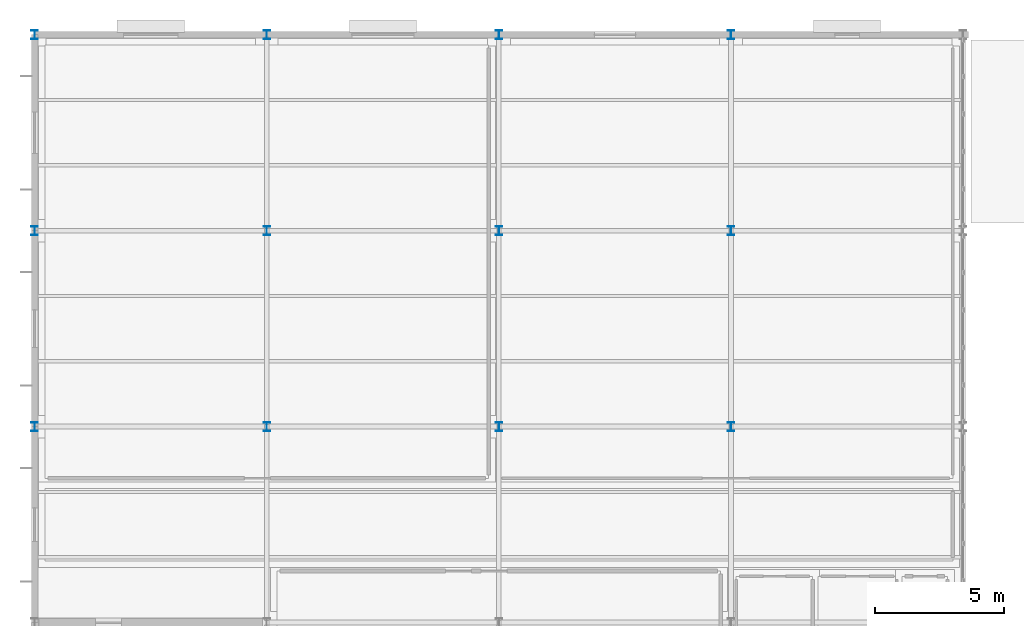
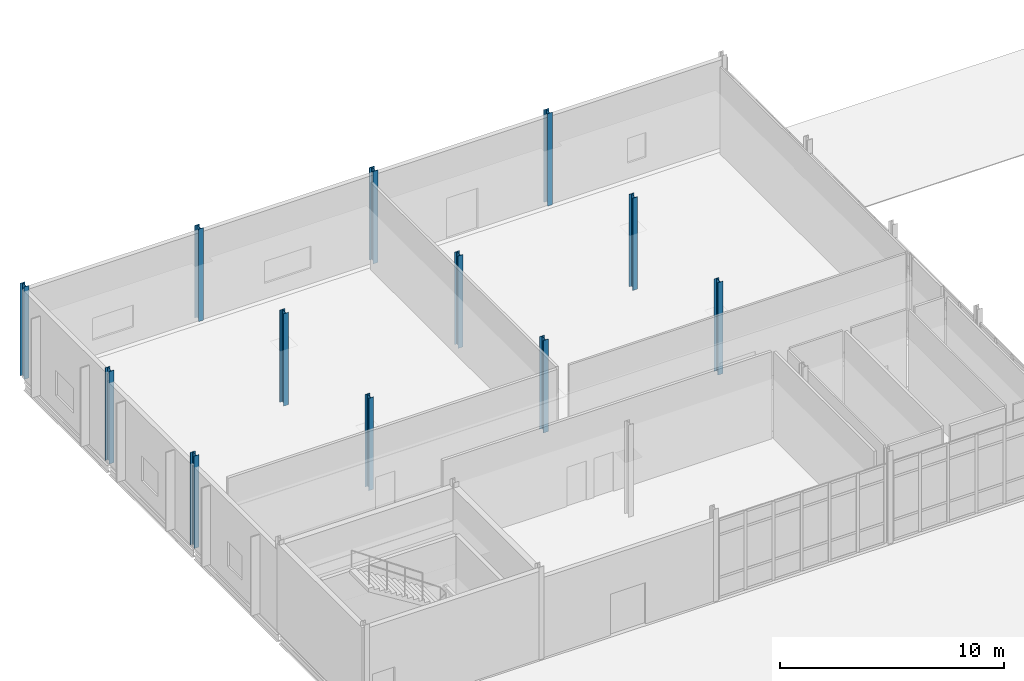
# One storey, part 18 of 161: 12 columns.
"""IFC4 building model written with IfcOpenShell, lengths in metres."""

import ifcopenshell
import ifcopenshell.guid

model = None  # the IFC model being written
_history = None  # IfcOwnerHistory: only IFC2X3 demands one
_inside = {}  # id of a spatial element -> (the spatial element, [elements in it])
_under = {}  # id of a project, library or spatial element -> (it, [spatial elements below it])
_declared = {}  # id of a project -> (the project, [libraries it declares])
_typed = {}  # id of a type object -> (the type object, [elements of that type])
_made_of = {}  # id of a material, layer set ... -> (it, [elements and type objects made of it])


def new_model(schema):
    """Start an empty IFC model of exactly this schema.

    Asked for "IFC4X3", IfcOpenShell would pick the latest addendum, in which some entities
    have other attributes; the version numbers below select the first issue.
    IFC2X3 requires an IfcOwnerHistory on every rooted entity: one is made here for all.
    """
    global model, _history
    if schema == "IFC4X3":
        model = ifcopenshell.file(schema_version=(4, 3, 0, 0))
    else:
        model = ifcopenshell.file(schema=schema)
    _inside.clear()
    _under.clear()
    _declared.clear()
    _typed.clear()
    _made_of.clear()
    _history = None
    if model.schema == "IFC2X3":
        org = make("IfcOrganization", Name="unknown")
        user = make(
            "IfcPersonAndOrganization",
            ThePerson=make("IfcPerson", FamilyName="unknown"),
            TheOrganization=org,
        )
        app = make(
            "IfcApplication",
            ApplicationDeveloper=org,
            Version="unknown",
            ApplicationFullName="unknown",
            ApplicationIdentifier="unknown",
        )
        _history = make(
            "IfcOwnerHistory",
            OwningUser=user,
            OwningApplication=app,
            ChangeAction="ADDED",
            CreationDate=0,
        )
    return model


def make(cls, **values):
    """One entity of the class cls with the attributes given. An attribute that is None is left unset."""
    return model.create_entity(
        cls, **{name: value for name, value in values.items() if value is not None}
    )


def rooted(cls, **values):
    """An entity with a GlobalId (a new one), such as an element, a storey or a relation."""
    return make(cls, GlobalId=ifcopenshell.guid.new(), OwnerHistory=_history, **values)


def si_unit(unit_type, name, prefix=None):
    """IfcSIUnit, for example si_unit("LENGTHUNIT", "METRE", prefix="MILLI")."""
    return make("IfcSIUnit", UnitType=unit_type, Prefix=prefix, Name=name)


def assignment(units):
    """IfcUnitAssignment: the units of a project."""
    return None if units is None else make("IfcUnitAssignment", Units=units)


def point(xyz):
    """IfcCartesianPoint."""
    return None if xyz is None else make("IfcCartesianPoint", Coordinates=xyz)


def direction(xyz):
    """IfcDirection."""
    return None if xyz is None else make("IfcDirection", DirectionRatios=xyz)


def frame(location, z_axis=None, x_axis=None):
    """IfcAxis2Placement3D, a coordinate frame: its origin and axes. An axis left out is left unset."""
    return make(
        "IfcAxis2Placement3D",
        Location=point(location),
        Axis=direction(z_axis),
        RefDirection=direction(x_axis),
    )


def frame_2d(location, x_axis=None):
    """IfcAxis2Placement2D, a coordinate frame in the plane: its origin and x axis."""
    return make(
        "IfcAxis2Placement2D", Location=point(location), RefDirection=direction(x_axis)
    )


def origin():
    """The frame at (0, 0, 0) with its axes left unset."""
    return frame((0.0, 0.0, 0.0))


def origin_2d():
    """The frame at (0, 0) in the plane with its x axis left unset."""
    return frame_2d((0.0, 0.0))


def place(relative_to, where):
    """IfcLocalPlacement: puts the frame where relative to a parent placement (None: the world)."""
    return make(
        "IfcLocalPlacement", PlacementRelTo=relative_to, RelativePlacement=where
    )


def context(
    kind, dimensions, precision=None, world=None, true_north=None, identifier=None
):
    """IfcGeometricRepresentationContext, for example the 3D "Model" context."""
    return make(
        "IfcGeometricRepresentationContext",
        ContextIdentifier=identifier,
        ContextType=kind,
        CoordinateSpaceDimension=dimensions,
        Precision=precision,
        WorldCoordinateSystem=world,
        TrueNorth=true_north,
    )


def subcontext(parent, identifier, kind, view, scale=None):
    """IfcGeometricRepresentationSubContext, for example "Body" below "Model"."""
    return make(
        "IfcGeometricRepresentationSubContext",
        ContextIdentifier=identifier,
        ContextType=kind,
        ParentContext=parent,
        TargetScale=scale,
        TargetView=view,
    )


def project(units=None, contexts=None):
    """IfcProject with its units and contexts."""
    return rooted(
        "IfcProject",
        Name="project",
        RepresentationContexts=contexts,
        UnitsInContext=assignment(units),
    )


def spatial(cls, under=None, at=None, **own):
    """A site, building, storey or space (cls), placed at a placement, below another one or the project."""
    s = rooted(cls, ObjectPlacement=at, **own)
    if under is not None:
        _under.setdefault(under.id(), (under, []))[1].append(s)
    return s


def profile(cls, at=None, kind="AREA", **sizes):
    """A parametric profile (cls). Its sizes go by their IFC names, for example OverallWidth=200.0."""
    return make(cls, ProfileType=kind, Position=at, **sizes)


def i_section(**sizes):
    """IfcIShapeProfileDef."""
    return profile("IfcIShapeProfileDef", **sizes)


def extrude(swept, where, along, depth):
    """IfcExtrudedAreaSolid: the profile swept, set in the frame where, extruded along a direction by depth."""
    return make(
        "IfcExtrudedAreaSolid",
        SweptArea=swept,
        Position=where,
        ExtrudedDirection=direction(along),
        Depth=depth,
    )


def shape(context_of_items, identifier, shape_type, items):
    """IfcShapeRepresentation: the items that make up one representation, for example the "Body"."""
    return make(
        "IfcShapeRepresentation",
        ContextOfItems=context_of_items,
        RepresentationIdentifier=identifier,
        RepresentationType=shape_type,
        Items=items,
    )


def material(Name=None, Category=None):
    """IfcMaterial."""
    return make("IfcMaterial", Name=Name, Category=Category)


def material_profile(
    of_material, cross_section, Name=None, Category=None, Priority=None
):
    """IfcMaterialProfile: a cross section and its material."""
    return make(
        "IfcMaterialProfile",
        Name=Name,
        Material=of_material,
        Profile=cross_section,
        Priority=Priority,
        Category=Category,
    )


def profile_set(profiles, Name=None, composite=None):
    """IfcMaterialProfileSet."""
    return make(
        "IfcMaterialProfileSet",
        Name=Name,
        MaterialProfiles=profiles,
        CompositeProfile=composite,
    )


def made_of(thing, what):
    """Note that an element or type object is made of a material, layer set ...; save() writes the relation."""
    if what is not None:
        _made_of.setdefault(what.id(), (what, []))[1].append(thing)
    return thing


def type_object(cls, material=None, **own):
    """A type object (cls), such as IfcWallType, which elements share."""
    return made_of(rooted(cls, **own), material)


def element(
    cls,
    number,
    at=None,
    inside=None,
    cuts=None,
    type_object=None,
    material=None,
    context=None,
    identifier="Body",
    shape_type=None,
    held_by="IfcProductDefinitionShape",
    body=None,
    shapes=None,
    **own,
):
    """One element of the class cls, such as IfcWall. Its Tag is "e" and its number.

    at: its placement. inside: the storey or other place that contains it. cuts: it is an
    opening in that element (IfcRelVoidsElement). A single representation is given by context,
    identifier, shape_type and body (its items); several are given by shapes. held_by: the class
    of the entity that holds the representations. save() writes the other relations.
    """
    e = rooted(cls, Tag="e%d" % number, ObjectPlacement=at, **own)
    if body is not None:
        shapes = [shape(context, identifier, shape_type, body)]
    if shapes is not None:
        e.Representation = make(held_by, Representations=shapes)
    if inside is not None:
        _inside.setdefault(inside.id(), (inside, []))[1].append(e)
    if cuts is not None:
        rooted(
            "IfcRelVoidsElement", RelatingBuildingElement=cuts, RelatedOpeningElement=e
        )
    if type_object is not None:
        _typed.setdefault(type_object.id(), (type_object, []))[1].append(e)
    return made_of(e, material)


def aggregate(whole, parts):
    """IfcRelAggregates: a whole, such as a stair, and the parts it consists of."""
    return rooted("IfcRelAggregates", RelatingObject=whole, RelatedObjects=parts)


def save(model, path):
    """Write the relations noted so far, then the file.

    IfcRelAggregates (storeys below a building ...), IfcRelContainedInSpatialStructure (elements
    in a storey), IfcRelDefinesByType, IfcRelAssociatesMaterial and IfcRelDeclares: one each for
    every whole, place, type object, material and project.
    """
    for whole, parts in _under.values():
        aggregate(whole, parts)
    for where, things in _inside.values():
        rooted(
            "IfcRelContainedInSpatialStructure",
            RelatedElements=things,
            RelatingStructure=where,
        )
    for kind, things in _typed.values():
        rooted("IfcRelDefinesByType", RelatedObjects=things, RelatingType=kind)
    for what, things in _made_of.values():
        rooted("IfcRelAssociatesMaterial", RelatedObjects=things, RelatingMaterial=what)
    for by, libraries in _declared.values():
        rooted("IfcRelDeclares", RelatingContext=by, RelatedDefinitions=libraries)
    model.write(path)


model = new_model("IFC4")

# Units and contexts
model_context = context("Model", 3, precision=1e-05, world=origin(), true_north=direction((0.0, 1.0)))
body_context = subcontext(model_context, "Body", "Model", "MODEL_VIEW")
ifc_project = project(units=[si_unit("LENGTHUNIT", "METRE"), si_unit("AREAUNIT", "SQUARE_METRE"), si_unit("VOLUMEUNIT", "CUBIC_METRE"), si_unit("PLANEANGLEUNIT", "RADIAN"), si_unit("MASSUNIT", "GRAM", prefix="KILO")], contexts=[model_context])

# Site, building, storey
site_placement = place(None, origin())
site = spatial("IfcSite", under=ifc_project, at=site_placement, CompositionType="ELEMENT")
building_placement = place(site_placement, origin())
building = spatial("IfcBuilding", under=site, at=building_placement, Name="Caisbarro Railhouse Central Library", CompositionType="ELEMENT")
storey_placement = place(building_placement, origin())
storey = spatial("IfcBuildingStorey", under=building, at=storey_placement, Name="L00", CompositionType="ELEMENT", Elevation=0.0)

# Columns
ifc_material = material(Name="Steel ASTM A572 Grade 50", Category="steel")
ifc_material_profile = material_profile(ifc_material, i_section(OverallWidth=0.25390625, OverallDepth=0.35302734375, WebThickness=0.009521484375, FlangeThickness=0.016357421875, FilletRadius=0.014892578125, at=origin_2d()), Name="W360X91.0")
ifc_profile_set = profile_set([ifc_material_profile], Name="Steel ASTM A572 Grade 50")
column_type = type_object("IfcColumnType", Name="COL-C05", PredefinedType="COLUMN", material=ifc_profile_set)
for number, where, z_axis, x_axis, name in (
    (1, (0.0, 98.800048828125, 0.0), (0.0, 0.0, 1.0), (1.0, 0.0, 0.0), "C05 column L00 (0.0,98.8)"),
    (2, (0.0, 106.39990234375, 0.0), (0.0, 0.0, 1.0), (1.0, 0.0, 0.0), "C05 column L00 (0.0,106.4)"),
    (3, (0.0, 114.0, 0.0), (0.0, 0.0, 1.0), (1.0, 0.0, 0.0), "C05 column L00 (0.0,114.0)"),
    (4, (9.0, 98.800048828125, 0.0), (0.0, 0.0, 1.0), (1.0, 0.0, 0.0), "C05 column L00 (9.0,98.8)"),
    (5, (9.0, 106.39990234375, 0.0), (0.0, 0.0, 1.0), (1.0, 0.0, 0.0), "C05 column L00 (9.0,106.4)"),
    (6, (9.0, 114.0, 0.0), (0.0, 0.0, 1.0), (1.0, 0.0, 0.0), "C05 column L00 (9.0,114.0)"),
    (7, (18.0, 98.800048828125, 0.0), (0.0, 0.0, 1.0), (1.0, 0.0, 0.0), "C05 column L00 (18.0,98.8)"),
    (8, (18.0, 106.39990234375, 0.0), (0.0, 0.0, 1.0), (1.0, 0.0, 0.0), "C05 column L00 (18.0,106.4)"),
    (9, (18.0, 114.0, 0.0), (0.0, 0.0, 1.0), (1.0, 0.0, 0.0), "C05 column L00 (18.0,114.0)"),
    (10, (27.0, 98.800048828125, 0.0), (0.0, 0.0, 1.0), (1.0, 0.0, 0.0), "C05 column L00 (27.0,98.8)"),
    (11, (27.0, 106.39990234375, 0.0), (0.0, 0.0, 1.0), (1.0, 0.0, 0.0), "C05 column L00 (27.0,106.4)"),
    (12, (27.0, 114.0, 0.0), (0.0, 0.0, 1.0), (1.0, 0.0, 0.0), "C05 column L00 (27.0,114.0)"),
):
    element("IfcColumn", number, at=place(storey_placement, frame(where, z_axis=z_axis, x_axis=x_axis)), inside=storey, type_object=column_type, Name=name, PredefinedType="COLUMN", context=body_context, shape_type="SweptSolid", body=[
        extrude(i_section(OverallWidth=0.25390625, OverallDepth=0.35302734375, WebThickness=0.009521484375, FlangeThickness=0.016357421875, FilletRadius=0.014892578125, at=origin_2d()), origin(), (0.0, 0.0, 1.0), 5.0400390625),
    ])

save(model, "model.ifc")
